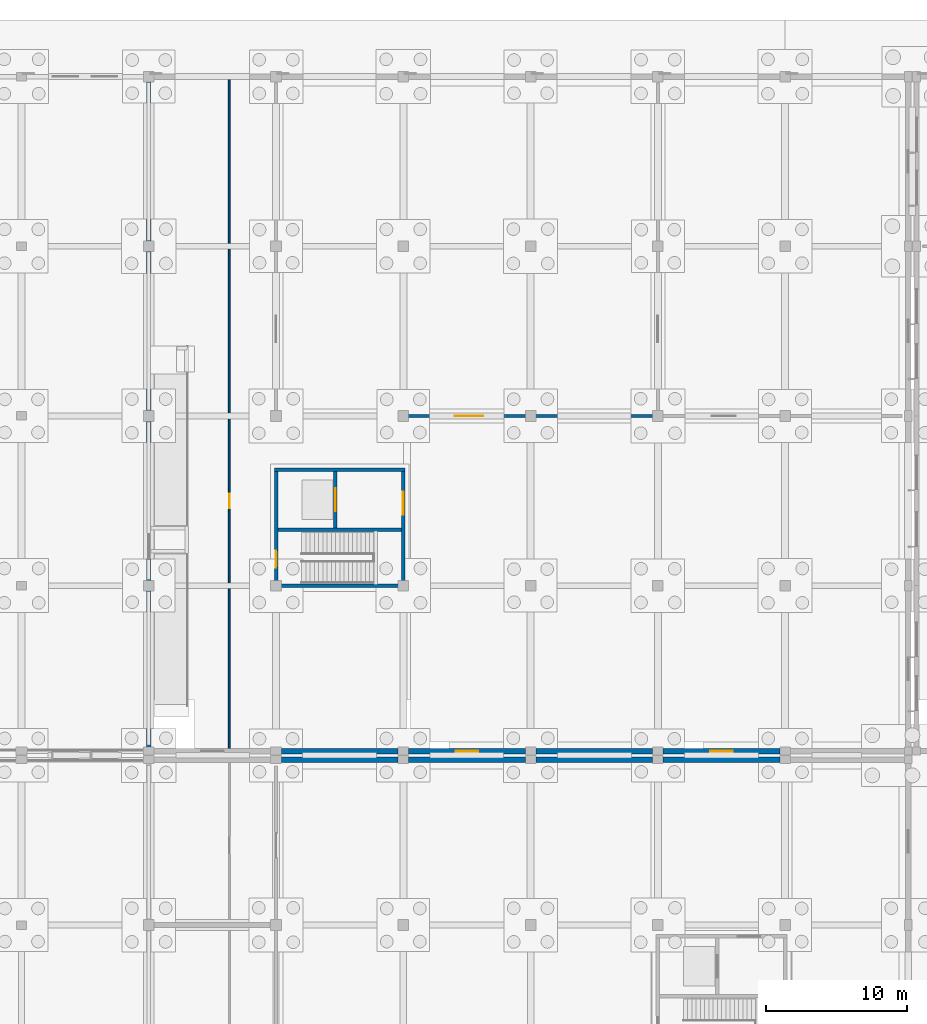
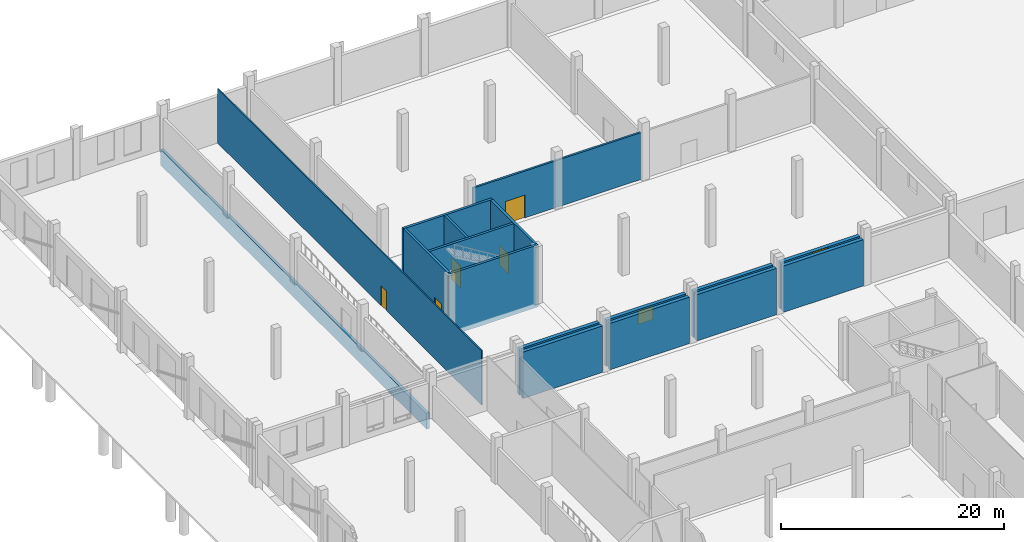
# One storey, part 62 of 99: 17 walls, 5 doors, 2 windows, 7 openings.
"""IFC4 building model written with IfcOpenShell, lengths in metres."""

from ifc_helpers import new_model, si_unit, direction, frame, frame_2d, origin, place, context, subcontext, project, spatial, rectangle, extrude, material, layer, layer_set, type_object, element, fill, save


model = new_model("IFC4")

# Units and contexts
model_context = context("Model", 3, precision=1e-05, world=origin(), true_north=direction((0.0, 1.0)))
body_context = subcontext(model_context, "Body", "Model", "MODEL_VIEW")
ifc_project = project(units=[si_unit("LENGTHUNIT", "METRE"), si_unit("AREAUNIT", "SQUARE_METRE"), si_unit("VOLUMEUNIT", "CUBIC_METRE"), si_unit("PLANEANGLEUNIT", "RADIAN"), si_unit("MASSUNIT", "GRAM", prefix="KILO")], contexts=[model_context])

# Site, building, storey
site_placement = place(None, origin())
site = spatial("IfcSite", under=ifc_project, at=site_placement, CompositionType="ELEMENT")
building_placement = place(site_placement, origin())
building = spatial("IfcBuilding", under=site, at=building_placement, Name="Zacnel Wholesale Market", CompositionType="ELEMENT")
storey_placement = place(building_placement, origin())
storey = spatial("IfcBuildingStorey", under=building, at=storey_placement, Name="L01", CompositionType="ELEMENT", Elevation=0.0)

# Wall, opening, door
ifc_material_1 = material(Name="PIR insulated cold-store panel")
ifc_layer_1 = layer(ifc_material_1, 0.2099609375)
ifc_layer_set_1 = layer_set([ifc_layer_1], Name="PIR insulated cold-store panel")
wall_type_1 = type_object("IfcWallType", Name="WL-COLD-INT210", PredefinedType="STANDARD", material=ifc_layer_set_1)
wall_1_placement = place(storey_placement, frame((36.300048828125, 120.0, 0.0), z_axis=(0.0, 0.0, 1.0), x_axis=(1.0, 0.0, 0.0)))
wall_1 = element("IfcWall", 1, at=wall_1_placement, inside=storey, type_object=wall_type_1, Name="Interior partition L01-0021", PredefinedType="STANDARD", context=body_context, shape_type="SweptSolid", body=[
    extrude(rectangle(XDim=17.39990234375, YDim=0.2099609375, at=frame_2d((8.699951171875, 0.0))), origin(), (0.0, 0.0, 1.0), 5.1298828125),
])
opening_1_placement = place(wall_1_placement, frame((3.35009765625, 0.0, 0.0)))
opening_1 = element("IfcOpeningElement", 2, at=opening_1_placement, cuts=wall_1, Name="Opening CD-01", PredefinedType="OPENING", context=body_context, shape_type="SweptSolid", body=[
    extrude(rectangle(XDim=2.0, YDim=2.5, at=frame_2d((1.0, 1.25))), frame((0.0, 0.114990234375, 0.0), z_axis=(0.0, -1.0, 0.0), x_axis=(1.0, 0.0, 0.0)), (0.0, 0.0, 1.0), 0.22998046875),
])
ifc_material_2 = material(Name="Galvanized steel", Category="steel")
door_type_1 = type_object("IfcDoorType", Name="DR-COLD-SLIDE-2000", OperationType="NOTDEFINED", PredefinedType="DOOR", material=ifc_material_2)
door_1_placement = place(opening_1_placement, origin())
door_1 = element("IfcDoor", 3, at=door_1_placement, inside=storey, type_object=door_type_1, Name="Interior door L01-0017", OperationType="SLIDING_TO_LEFT", OverallHeight=2.5, OverallWidth=2.0, PredefinedType="DOOR", context=body_context, shape_type="SweptSolid", body=[
    extrude(rectangle(XDim=2.0, YDim=2.5, at=frame_2d((1.0, 1.25))), frame((0.0, 0.02490234375, 0.0), z_axis=(0.0, -1.0, 0.0), x_axis=(1.0, 0.0, 0.0)), (0.0, 0.0, 1.0), 0.050048828125),
])
fill(opening_1, door_1)

# Walls
ifc_material_3 = material(Name="Concrete C40/50", Category="concrete")
ifc_layer_2 = layer(ifc_material_3, 0.25)
ifc_layer_set_2 = layer_set([ifc_layer_2], Name="Concrete C40/50")
wall_type_2 = type_object("IfcWallType", Name="WL-CORE-SW250", PredefinedType="SOLIDWALL", material=ifc_layer_set_2)
for number, where, z_axis, x_axis, name in (
    (4, (26.875, 108.0, -0.5), (0.0, 0.0, 1.0), (1.0, 0.0, 0.0), "Core C5 south shear wall L01"),
    (5, (26.875, 116.199951171875, -0.5), (0.0, 0.0, 1.0), (1.0, 0.0, 0.0), "Core C5 north shear wall L01"),
):
    element("IfcWall", number, at=place(storey_placement, frame(where, z_axis=z_axis, x_axis=x_axis)), inside=storey, type_object=wall_type_2, Name=name, PredefinedType="SOLIDWALL", context=body_context, shape_type="SweptSolid", body=[
        extrude(rectangle(XDim=9.25, YDim=0.25, at=frame_2d((4.625, 0.0))), origin(), (0.0, 0.0, 1.0), 6.800048828125),
    ])

# Wall, opening, door
wall_2_placement = place(storey_placement, frame((27.0, 108.125, -0.5), z_axis=(0.0, 0.0, 1.0), x_axis=(0.0, 1.0, 0.0)))
wall_2 = element("IfcWall", 6, at=wall_2_placement, inside=storey, type_object=wall_type_2, Name="Core C5 west shear wall L01", PredefinedType="SOLIDWALL", context=body_context, shape_type="SweptSolid", body=[
    extrude(rectangle(XDim=7.949951171875, YDim=0.25, at=frame_2d((3.97509765625, 0.0))), origin(), (0.0, 0.0, 1.0), 6.800048828125),
])
opening_2_placement = place(wall_2_placement, frame((1.14990234375, 0.0, 0.5)))
opening_2 = element("IfcOpeningElement", 7, at=opening_2_placement, cuts=wall_2, Name="Opening FD-01", PredefinedType="OPENING", context=body_context, shape_type="SweptSolid", body=[
    extrude(rectangle(XDim=1.199951171875, YDim=2.199951171875, at=frame_2d((0.60009765625, 1.10009765625))), frame((0.0, 0.135009765625, 0.0), z_axis=(0.0, -1.0, 0.0), x_axis=(1.0, 0.0, 0.0)), (0.0, 0.0, 1.0), 0.27001953125),
])
ifc_material_4 = material(Name="Galvanized steel", Category="steel")
door_type_2 = type_object("IfcDoorType", Name="DR-FIRE-STAIR-1200", OperationType="NOTDEFINED", PredefinedType="DOOR", material=ifc_material_4)
door_2_placement = place(opening_2_placement, origin())
door_2 = element("IfcDoor", 8, at=door_2_placement, inside=storey, type_object=door_type_2, Name="Protected stair fire door C5 L01", OperationType="SINGLE_SWING_LEFT", OverallHeight=2.199951171875, OverallWidth=1.199951171875, PredefinedType="DOOR", context=body_context, shape_type="SweptSolid", body=[
    extrude(rectangle(XDim=1.199951171875, YDim=2.199951171875, at=frame_2d((0.60009765625, 1.10009765625))), frame((0.0, 0.02490234375, 0.0), z_axis=(0.0, -1.0, 0.0), x_axis=(1.0, 0.0, 0.0)), (0.0, 0.0, 1.0), 0.050048828125),
])
fill(opening_2, door_2)

wall_3_placement = place(storey_placement, frame((36.0, 108.125, -0.5), z_axis=(0.0, 0.0, 1.0), x_axis=(0.0, 1.0, 0.0)))
wall_3 = element("IfcWall", 9, at=wall_3_placement, inside=storey, type_object=wall_type_2, Name="Core C5 east shear wall L01", PredefinedType="SOLIDWALL", context=body_context, shape_type="SweptSolid", body=[
    extrude(rectangle(XDim=7.949951171875, YDim=0.25, at=frame_2d((3.97509765625, 0.0))), origin(), (0.0, 0.0, 1.0), 6.800048828125),
])
opening_3_placement = place(wall_3_placement, frame((4.89990234375, 0.0, 0.5)))
opening_3 = element("IfcOpeningElement", 10, at=opening_3_placement, cuts=wall_3, Name="Opening FD-02", PredefinedType="OPENING", context=body_context, shape_type="SweptSolid", body=[
    extrude(rectangle(XDim=1.60009765625, YDim=2.199951171875, at=frame_2d((0.800048828125, 1.10009765625))), frame((0.0, 0.135009765625, 0.0), z_axis=(0.0, -1.0, 0.0), x_axis=(1.0, 0.0, 0.0)), (0.0, 0.0, 1.0), 0.27001953125),
])
ifc_material_5 = material(Name="Galvanized steel", Category="steel")
door_type_3 = type_object("IfcDoorType", Name="DR-FIRE-LOBBY-1600", OperationType="NOTDEFINED", PredefinedType="DOOR", material=ifc_material_5)
door_3_placement = place(opening_3_placement, origin())
door_3 = element("IfcDoor", 11, at=door_3_placement, inside=storey, type_object=door_type_3, Name="Core lift lobby fire door C5 L01", OperationType="SINGLE_SWING_RIGHT", OverallHeight=2.199951171875, OverallWidth=1.60009765625, PredefinedType="DOOR", context=body_context, shape_type="SweptSolid", body=[
    extrude(rectangle(XDim=1.60009765625, YDim=2.199951171875, at=frame_2d((0.800048828125, 1.10009765625))), frame((0.0, 0.02490234375, 0.0), z_axis=(0.0, -1.0, 0.0), x_axis=(1.0, 0.0, 0.0)), (0.0, 0.0, 1.0), 0.050048828125),
])
fill(opening_3, door_3)

# Wall
wall_4_placement = place(storey_placement, frame((27.125, 111.949951171875, -0.5), z_axis=(0.0, 0.0, 1.0), x_axis=(1.0, 0.0, 0.0)))
element("IfcWall", 12, at=wall_4_placement, inside=storey, type_object=wall_type_2, Name="Core C5 stair-shaft shear wall L01", PredefinedType="SOLIDWALL", context=body_context, shape_type="SweptSolid", body=[
    extrude(rectangle(XDim=8.75, YDim=0.25, at=frame_2d((4.375, 0.0))), origin(), (0.0, 0.0, 1.0), 6.800048828125),
])

# Wall, opening, door
wall_5_placement = place(storey_placement, frame((31.199951171875, 112.074951171875, -0.5), z_axis=(0.0, 0.0, 1.0), x_axis=(0.0, 1.0, 0.0)))
wall_5 = element("IfcWall", 13, at=wall_5_placement, inside=storey, type_object=wall_type_2, Name="Core C5 lift shaft front wall L01", PredefinedType="SOLIDWALL", context=body_context, shape_type="SweptSolid", body=[
    extrude(rectangle(XDim=4.0, YDim=0.25, at=frame_2d((2.0, 0.0))), origin(), (0.0, 0.0, 1.0), 6.800048828125),
])
opening_4_placement = place(wall_5_placement, frame((1.199951171875, 0.0, 0.5)))
opening_4 = element("IfcOpeningElement", 14, at=opening_4_placement, cuts=wall_5, Name="Opening LD-02", PredefinedType="OPENING", context=body_context, shape_type="SweptSolid", body=[
    extrude(rectangle(XDim=1.60009765625, YDim=2.39990234375, at=frame_2d((0.800048828125, 1.199951171875))), frame((0.0, 0.135009765625, 0.0), z_axis=(0.0, -1.0, 0.0), x_axis=(1.0, 0.0, 0.0)), (0.0, 0.0, 1.0), 0.27001953125),
])
ifc_material_6 = material(Name="Galvanized steel", Category="steel")
door_type_4 = type_object("IfcDoorType", Name="DR-LIFT-GOODS-1600", OperationType="NOTDEFINED", PredefinedType="DOOR", material=ifc_material_6)
door_4_placement = place(opening_4_placement, origin())
door_4 = element("IfcDoor", 15, at=door_4_placement, inside=storey, type_object=door_type_4, Name="Lift landing door LG-03 L01", OperationType="SLIDING_TO_LEFT", OverallHeight=2.39990234375, OverallWidth=1.60009765625, PredefinedType="DOOR", context=body_context, shape_type="SweptSolid", body=[
    extrude(rectangle(XDim=1.60009765625, YDim=2.39990234375, at=frame_2d((0.800048828125, 1.199951171875))), frame((0.0, 0.02490234375, 0.0), z_axis=(0.0, -1.0, 0.0), x_axis=(1.0, 0.0, 0.0)), (0.0, 0.0, 1.0), 0.050048828125),
])
fill(opening_4, door_4)

# Walls
ifc_material_7 = material(Name="Concrete C40/50", Category="concrete")
ifc_layer_3 = layer(ifc_material_7, 0.300048828125)
ifc_layer_set_3 = layer_set([ifc_layer_3], Name="Concrete C40/50")
wall_type_3 = type_object("IfcWallType", Name="WL-DOCK-RET300", PredefinedType="SOLIDWALL", material=ifc_layer_set_3)
wall_6_placement = place(storey_placement, frame((18.0, 96.300048828125, -0.5), z_axis=(0.0, 0.0, 1.0), x_axis=(0.0, 1.0, 0.0)))
element("IfcWall", 16, at=wall_6_placement, inside=storey, type_object=wall_type_3, Name="Dock plinth retaining wall 03", PredefinedType="SOLIDWALL", context=body_context, shape_type="SweptSolid", body=[
    extrude(rectangle(XDim=47.699951171875, YDim=0.300048828125, at=frame_2d((23.85009765625, 0.0))), origin(), (0.0, 0.0, 1.0), 1.72509765625),
])
ifc_material_8 = material(Name="Precast concrete C40/50 (insulated sandwich panel)", Category="concrete")
ifc_layer_4 = layer(ifc_material_8, 0.3798828125)
ifc_layer_set_4 = layer_set([ifc_layer_4], Name="Precast concrete C40/50 (insulated sandwich panel)")
wall_type_4 = type_object("IfcWallType", Name="WL-EXT-COLD-380", PredefinedType="SOLIDWALL", material=ifc_layer_set_4)
for number, where, z_axis, x_axis, name in (
    (17, (27.375, 95.699951171875, 0.0), (0.0, 0.0, 1.0), (1.0, 0.0, 0.0), "Exterior wall L01-0042"),
    (18, (36.375, 95.699951171875, 0.0), (0.0, 0.0, 1.0), (1.0, 0.0, 0.0), "Exterior wall L01-0043"),
    (19, (45.375, 95.699951171875, 0.0), (0.0, 0.0, 1.0), (1.0, 0.0, 0.0), "Exterior wall L01-0044"),
    (20, (54.375, 95.699951171875, 0.0), (0.0, 0.0, 1.0), (1.0, 0.0, 0.0), "Exterior wall L01-0045"),
    (21, (27.375, 96.300048828125, 0.0), (0.0, 0.0, 1.0), (1.0, 0.0, 0.0), "Exterior wall L01-0053"),
):
    element("IfcWall", number, at=place(storey_placement, frame(where, z_axis=z_axis, x_axis=x_axis)), inside=storey, type_object=wall_type_4, Name=name, PredefinedType="SOLIDWALL", context=body_context, shape_type="SweptSolid", body=[
        extrude(rectangle(XDim=8.25, YDim=0.3798828125, at=frame_2d((4.125, 0.0))), origin(), (0.0, 0.0, 1.0), 5.080078125),
    ])

# Wall, opening, window
wall_7_placement = place(storey_placement, frame((36.375, 96.300048828125, 0.0), z_axis=(0.0, 0.0, 1.0), x_axis=(1.0, 0.0, 0.0)))
wall_7 = element("IfcWall", 22, at=wall_7_placement, inside=storey, type_object=wall_type_4, Name="Exterior wall L01-0054", PredefinedType="SOLIDWALL", context=body_context, shape_type="SweptSolid", body=[
    extrude(rectangle(XDim=8.25, YDim=0.3798828125, at=frame_2d((4.125, 0.0))), origin(), (0.0, 0.0, 1.0), 5.080078125),
])
opening_5_placement = place(wall_7_placement, frame((3.324951171875, 0.0, 3.340087890625)))
opening_5 = element("IfcOpeningElement", 23, at=opening_5_placement, cuts=wall_7, Name="Opening W-06", PredefinedType="OPENING", context=body_context, shape_type="SweptSolid", body=[
    extrude(rectangle(XDim=1.60009765625, YDim=1.449951171875, at=frame_2d((0.800048828125, 0.72509765625))), frame((0.0, 0.199951171875, 0.0), z_axis=(0.0, -1.0, 0.0), x_axis=(1.0, 0.0, 0.0)), (0.0, 0.0, 1.0), 0.39990234375),
])
ifc_material_9 = material(Name="Laminated hurricane-impact low-E insulated glass", Category="glass")
window_type = type_object("IfcWindowType", Name="WIN-HIG-1600X1450", PartitioningType="DOUBLE_PANEL_HORIZONTAL", PredefinedType="WINDOW", material=ifc_material_9)
window_1_placement = place(opening_5_placement, origin())
window_1 = element("IfcWindow", 24, at=window_1_placement, inside=storey, type_object=window_type, Name="Window L01-0029", OverallHeight=1.449951171875, OverallWidth=1.60009765625, PartitioningType="DOUBLE_PANEL_HORIZONTAL", PredefinedType="WINDOW", context=body_context, shape_type="SweptSolid", body=[
    extrude(rectangle(XDim=1.60009765625, YDim=1.449951171875, at=frame_2d((0.800048828125, 0.72509765625))), frame((0.0, 0.030029296875, 0.0), z_axis=(0.0, -1.0, 0.0), x_axis=(1.0, 0.0, 0.0)), (0.0, 0.0, 1.0), 0.06005859375),
])
fill(opening_5, window_1)

# Wall
wall_8_placement = place(storey_placement, frame((45.375, 96.300048828125, 0.0), z_axis=(0.0, 0.0, 1.0), x_axis=(1.0, 0.0, 0.0)))
element("IfcWall", 25, at=wall_8_placement, inside=storey, type_object=wall_type_4, Name="Exterior wall L01-0055", PredefinedType="SOLIDWALL", context=body_context, shape_type="SweptSolid", body=[
    extrude(rectangle(XDim=8.25, YDim=0.3798828125, at=frame_2d((4.125, 0.0))), origin(), (0.0, 0.0, 1.0), 5.080078125),
])

# Wall, opening, window
wall_9_placement = place(storey_placement, frame((54.375, 96.300048828125, 0.0), z_axis=(0.0, 0.0, 1.0), x_axis=(1.0, 0.0, 0.0)))
wall_9 = element("IfcWall", 26, at=wall_9_placement, inside=storey, type_object=wall_type_4, Name="Exterior wall L01-0056", PredefinedType="SOLIDWALL", context=body_context, shape_type="SweptSolid", body=[
    extrude(rectangle(XDim=8.25, YDim=0.3798828125, at=frame_2d((4.125, 0.0))), origin(), (0.0, 0.0, 1.0), 5.080078125),
])
opening_6_placement = place(wall_9_placement, frame((3.324951171875, 0.0, 3.590087890625)))
opening_6 = element("IfcOpeningElement", 27, at=opening_6_placement, cuts=wall_9, Name="Opening W-06", PredefinedType="OPENING", context=body_context, shape_type="SweptSolid", body=[
    extrude(rectangle(XDim=1.60009765625, YDim=1.449951171875, at=frame_2d((0.800048828125, 0.72509765625))), frame((0.0, 0.199951171875, 0.0), z_axis=(0.0, -1.0, 0.0), x_axis=(1.0, 0.0, 0.0)), (0.0, 0.0, 1.0), 0.39990234375),
])
window_2_placement = place(opening_6_placement, origin())
window_2 = element("IfcWindow", 28, at=window_2_placement, inside=storey, type_object=window_type, Name="Window L01-0030", OverallHeight=1.449951171875, OverallWidth=1.60009765625, PartitioningType="DOUBLE_PANEL_HORIZONTAL", PredefinedType="WINDOW", context=body_context, shape_type="SweptSolid", body=[
    extrude(rectangle(XDim=1.60009765625, YDim=1.449951171875, at=frame_2d((0.800048828125, 0.72509765625))), frame((0.0, 0.030029296875, 0.0), z_axis=(0.0, -1.0, 0.0), x_axis=(1.0, 0.0, 0.0)), (0.0, 0.0, 1.0), 0.06005859375),
])
fill(opening_6, window_2)

# Wall, opening, door
ifc_material_10 = material(Name="Moisture-resistant gypsum board partition")
ifc_layer_5 = layer(ifc_material_10, 0.125)
ifc_layer_set_5 = layer_set([ifc_layer_5], Name="Moisture-resistant gypsum board partition")
wall_type_5 = type_object("IfcWallType", Name="WL-PART-GYP125", PredefinedType="PARTITIONING", material=ifc_layer_set_5)
wall_10_placement = place(storey_placement, frame((23.699951171875, 96.469970703125, 0.0), z_axis=(0.0, 0.0, 1.0), x_axis=(0.0, 1.0, 0.0)))
wall_10 = element("IfcWall", 29, at=wall_10_placement, inside=storey, type_object=wall_type_5, Name="Interior partition L01-0010", PredefinedType="PARTITIONING", context=body_context, shape_type="SweptSolid", body=[
    extrude(rectangle(XDim=47.360107421875, YDim=0.125, at=frame_2d((23.68017578125, 0.0))), origin(), (0.0, 0.0, 1.0), 5.949951171875),
])
opening_7_placement = place(wall_10_placement, frame((17.02001953125, 0.0, 0.0)))
opening_7 = element("IfcOpeningElement", 30, at=opening_7_placement, cuts=wall_10, Name="Opening ID-12", PredefinedType="OPENING", context=body_context, shape_type="SweptSolid", body=[
    extrude(rectangle(XDim=1.02001953125, YDim=2.179931640625, at=frame_2d((0.510009765625, 1.08984375))), frame((0.0, 0.072509765625, 0.0), z_axis=(0.0, -1.0, 0.0), x_axis=(1.0, 0.0, 0.0)), (0.0, 0.0, 1.0), 0.14501953125),
])
ifc_material_11 = material(Name="Solid-core tropical hardwood door", Category="wood")
door_type_5 = type_object("IfcDoorType", Name="DR-OFF-SGL-1020", OperationType="NOTDEFINED", PredefinedType="DOOR", material=ifc_material_11)
door_5_placement = place(opening_7_placement, origin())
door_5 = element("IfcDoor", 31, at=door_5_placement, inside=storey, type_object=door_type_5, Name="Interior door L01-0010", OperationType="SINGLE_SWING_LEFT", OverallHeight=2.179931640625, OverallWidth=1.02001953125, PredefinedType="DOOR", context=body_context, shape_type="SweptSolid", body=[
    extrude(rectangle(XDim=1.02001953125, YDim=2.179931640625, at=frame_2d((0.510009765625, 1.08984375))), frame((0.0, 0.02490234375, 0.0), z_axis=(0.0, -1.0, 0.0), x_axis=(1.0, 0.0, 0.0)), (0.0, 0.0, 1.0), 0.050048828125),
])
fill(opening_7, door_5)

save(model, "model.ifc")
